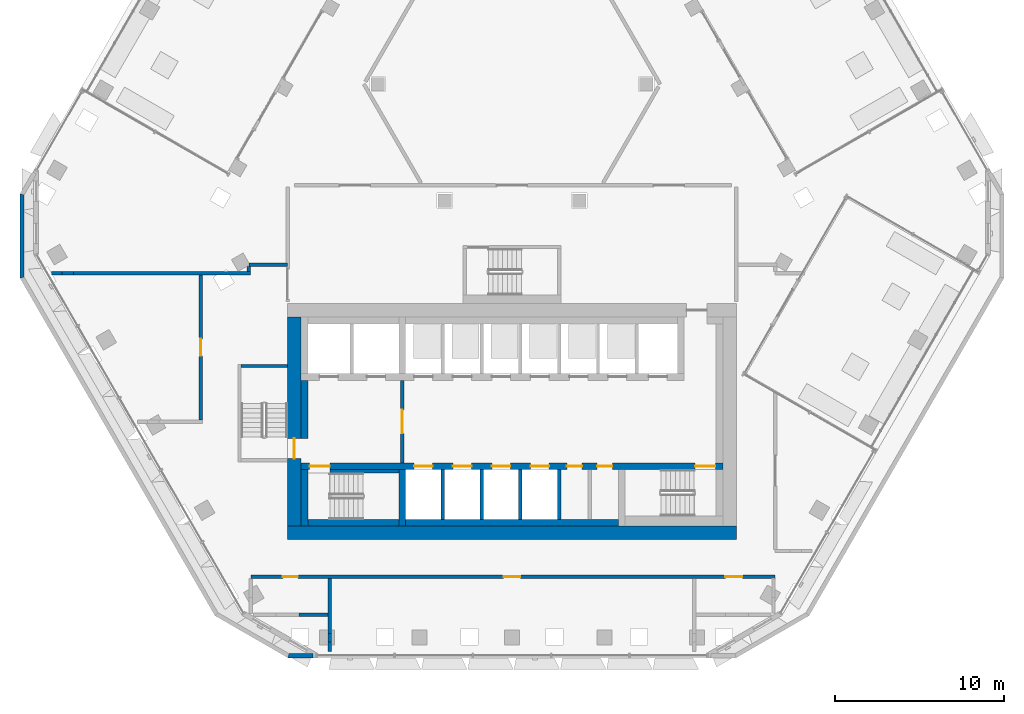
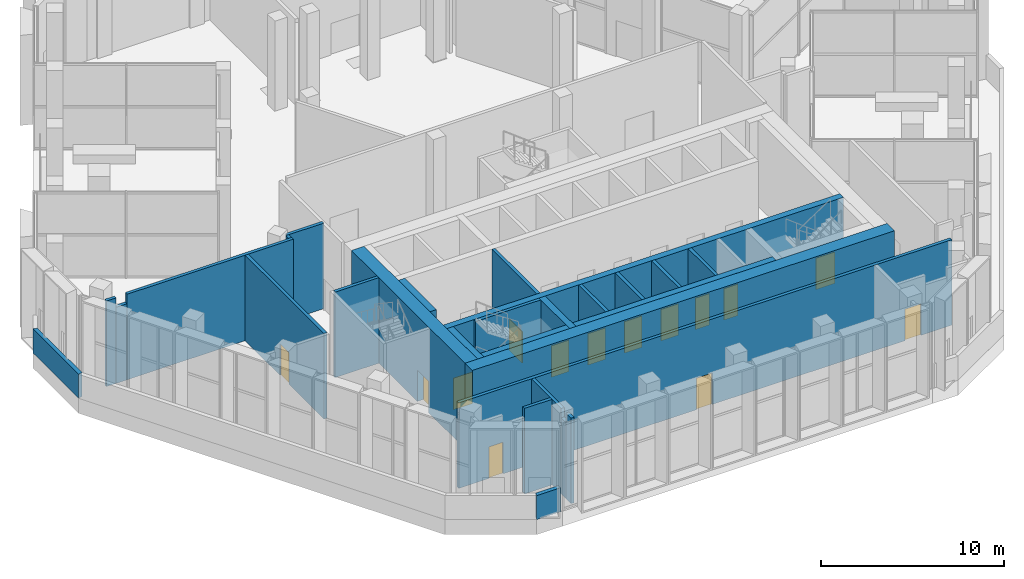
# One storey, part 11 of 27: 28 walls, 14 doors, 14 openings.
"""IFC4 building model written with IfcOpenShell, lengths in metres."""

import ifcopenshell
import ifcopenshell.guid

model = None  # the IFC model being written
_history = None  # IfcOwnerHistory: only IFC2X3 demands one
_inside = {}  # id of a spatial element -> (the spatial element, [elements in it])
_under = {}  # id of a project, library or spatial element -> (it, [spatial elements below it])
_declared = {}  # id of a project -> (the project, [libraries it declares])
_typed = {}  # id of a type object -> (the type object, [elements of that type])
_made_of = {}  # id of a material, layer set ... -> (it, [elements and type objects made of it])


def new_model(schema):
    """Start an empty IFC model of exactly this schema.

    Asked for "IFC4X3", IfcOpenShell would pick the latest addendum, in which some entities
    have other attributes; the version numbers below select the first issue.
    IFC2X3 requires an IfcOwnerHistory on every rooted entity: one is made here for all.
    """
    global model, _history
    if schema == "IFC4X3":
        model = ifcopenshell.file(schema_version=(4, 3, 0, 0))
    else:
        model = ifcopenshell.file(schema=schema)
    _inside.clear()
    _under.clear()
    _declared.clear()
    _typed.clear()
    _made_of.clear()
    _history = None
    if model.schema == "IFC2X3":
        org = make("IfcOrganization", Name="unknown")
        user = make(
            "IfcPersonAndOrganization",
            ThePerson=make("IfcPerson", FamilyName="unknown"),
            TheOrganization=org,
        )
        app = make(
            "IfcApplication",
            ApplicationDeveloper=org,
            Version="unknown",
            ApplicationFullName="unknown",
            ApplicationIdentifier="unknown",
        )
        _history = make(
            "IfcOwnerHistory",
            OwningUser=user,
            OwningApplication=app,
            ChangeAction="ADDED",
            CreationDate=0,
        )
    return model


def make(cls, **values):
    """One entity of the class cls with the attributes given. An attribute that is None is left unset."""
    return model.create_entity(
        cls, **{name: value for name, value in values.items() if value is not None}
    )


def rooted(cls, **values):
    """An entity with a GlobalId (a new one), such as an element, a storey or a relation."""
    return make(cls, GlobalId=ifcopenshell.guid.new(), OwnerHistory=_history, **values)


def si_unit(unit_type, name, prefix=None):
    """IfcSIUnit, for example si_unit("LENGTHUNIT", "METRE", prefix="MILLI")."""
    return make("IfcSIUnit", UnitType=unit_type, Prefix=prefix, Name=name)


def assignment(units):
    """IfcUnitAssignment: the units of a project."""
    return None if units is None else make("IfcUnitAssignment", Units=units)


def point(xyz):
    """IfcCartesianPoint."""
    return None if xyz is None else make("IfcCartesianPoint", Coordinates=xyz)


def direction(xyz):
    """IfcDirection."""
    return None if xyz is None else make("IfcDirection", DirectionRatios=xyz)


def frame(location, z_axis=None, x_axis=None):
    """IfcAxis2Placement3D, a coordinate frame: its origin and axes. An axis left out is left unset."""
    return make(
        "IfcAxis2Placement3D",
        Location=point(location),
        Axis=direction(z_axis),
        RefDirection=direction(x_axis),
    )


def frame_2d(location, x_axis=None):
    """IfcAxis2Placement2D, a coordinate frame in the plane: its origin and x axis."""
    return make(
        "IfcAxis2Placement2D", Location=point(location), RefDirection=direction(x_axis)
    )


def origin():
    """The frame at (0, 0, 0) with its axes left unset."""
    return frame((0.0, 0.0, 0.0))


def place(relative_to, where):
    """IfcLocalPlacement: puts the frame where relative to a parent placement (None: the world)."""
    return make(
        "IfcLocalPlacement", PlacementRelTo=relative_to, RelativePlacement=where
    )


def context(
    kind, dimensions, precision=None, world=None, true_north=None, identifier=None
):
    """IfcGeometricRepresentationContext, for example the 3D "Model" context."""
    return make(
        "IfcGeometricRepresentationContext",
        ContextIdentifier=identifier,
        ContextType=kind,
        CoordinateSpaceDimension=dimensions,
        Precision=precision,
        WorldCoordinateSystem=world,
        TrueNorth=true_north,
    )


def subcontext(parent, identifier, kind, view, scale=None):
    """IfcGeometricRepresentationSubContext, for example "Body" below "Model"."""
    return make(
        "IfcGeometricRepresentationSubContext",
        ContextIdentifier=identifier,
        ContextType=kind,
        ParentContext=parent,
        TargetScale=scale,
        TargetView=view,
    )


def project(units=None, contexts=None):
    """IfcProject with its units and contexts."""
    return rooted(
        "IfcProject",
        Name="project",
        RepresentationContexts=contexts,
        UnitsInContext=assignment(units),
    )


def spatial(cls, under=None, at=None, **own):
    """A site, building, storey or space (cls), placed at a placement, below another one or the project."""
    s = rooted(cls, ObjectPlacement=at, **own)
    if under is not None:
        _under.setdefault(under.id(), (under, []))[1].append(s)
    return s


def polyline(points):
    """IfcPolyline through the points."""
    return make("IfcPolyline", Points=[point(p) for p in points])


def profile(cls, at=None, kind="AREA", **sizes):
    """A parametric profile (cls). Its sizes go by their IFC names, for example OverallWidth=200.0."""
    return make(cls, ProfileType=kind, Position=at, **sizes)


def rectangle(**sizes):
    """IfcRectangleProfileDef."""
    return profile("IfcRectangleProfileDef", **sizes)


def outline(outer, holes=None, kind="AREA"):
    """IfcArbitraryClosedProfileDef: a profile drawn as a closed curve; with holes, ...WithVoids."""
    if holes is None:
        return make("IfcArbitraryClosedProfileDef", ProfileType=kind, OuterCurve=outer)
    return make(
        "IfcArbitraryProfileDefWithVoids",
        ProfileType=kind,
        OuterCurve=outer,
        InnerCurves=holes,
    )


def extrude(swept, where, along, depth):
    """IfcExtrudedAreaSolid: the profile swept, set in the frame where, extruded along a direction by depth."""
    return make(
        "IfcExtrudedAreaSolid",
        SweptArea=swept,
        Position=where,
        ExtrudedDirection=direction(along),
        Depth=depth,
    )


def shape(context_of_items, identifier, shape_type, items):
    """IfcShapeRepresentation: the items that make up one representation, for example the "Body"."""
    return make(
        "IfcShapeRepresentation",
        ContextOfItems=context_of_items,
        RepresentationIdentifier=identifier,
        RepresentationType=shape_type,
        Items=items,
    )


def material(Name=None, Category=None):
    """IfcMaterial."""
    return make("IfcMaterial", Name=Name, Category=Category)


def layer(
    of_material, thickness, ventilated=None, Name=None, Category=None, Priority=None
):
    """IfcMaterialLayer: one layer of a wall or slab, of a material (None: an air gap)."""
    return make(
        "IfcMaterialLayer",
        Material=of_material,
        LayerThickness=thickness,
        IsVentilated=ventilated,
        Name=Name,
        Category=Category,
        Priority=Priority,
    )


def layer_set(layers, Name=None):
    """IfcMaterialLayerSet."""
    return make("IfcMaterialLayerSet", MaterialLayers=layers, LayerSetName=Name)


def made_of(thing, what):
    """Note that an element or type object is made of a material, layer set ...; save() writes the relation."""
    if what is not None:
        _made_of.setdefault(what.id(), (what, []))[1].append(thing)
    return thing


def type_object(cls, material=None, **own):
    """A type object (cls), such as IfcWallType, which elements share."""
    return made_of(rooted(cls, **own), material)


def element(
    cls,
    number,
    at=None,
    inside=None,
    cuts=None,
    type_object=None,
    material=None,
    context=None,
    identifier="Body",
    shape_type=None,
    held_by="IfcProductDefinitionShape",
    body=None,
    shapes=None,
    **own,
):
    """One element of the class cls, such as IfcWall. Its Tag is "e" and its number.

    at: its placement. inside: the storey or other place that contains it. cuts: it is an
    opening in that element (IfcRelVoidsElement). A single representation is given by context,
    identifier, shape_type and body (its items); several are given by shapes. held_by: the class
    of the entity that holds the representations. save() writes the other relations.
    """
    e = rooted(cls, Tag="e%d" % number, ObjectPlacement=at, **own)
    if body is not None:
        shapes = [shape(context, identifier, shape_type, body)]
    if shapes is not None:
        e.Representation = make(held_by, Representations=shapes)
    if inside is not None:
        _inside.setdefault(inside.id(), (inside, []))[1].append(e)
    if cuts is not None:
        rooted(
            "IfcRelVoidsElement", RelatingBuildingElement=cuts, RelatedOpeningElement=e
        )
    if type_object is not None:
        _typed.setdefault(type_object.id(), (type_object, []))[1].append(e)
    return made_of(e, material)


def fill(opening, filler):
    """IfcRelFillsElement: the door or window that sits in an opening."""
    return rooted(
        "IfcRelFillsElement",
        RelatingOpeningElement=opening,
        RelatedBuildingElement=filler,
    )


def aggregate(whole, parts):
    """IfcRelAggregates: a whole, such as a stair, and the parts it consists of."""
    return rooted("IfcRelAggregates", RelatingObject=whole, RelatedObjects=parts)


def save(model, path):
    """Write the relations noted so far, then the file.

    IfcRelAggregates (storeys below a building ...), IfcRelContainedInSpatialStructure (elements
    in a storey), IfcRelDefinesByType, IfcRelAssociatesMaterial and IfcRelDeclares: one each for
    every whole, place, type object, material and project.
    """
    for whole, parts in _under.values():
        aggregate(whole, parts)
    for where, things in _inside.values():
        rooted(
            "IfcRelContainedInSpatialStructure",
            RelatedElements=things,
            RelatingStructure=where,
        )
    for kind, things in _typed.values():
        rooted("IfcRelDefinesByType", RelatedObjects=things, RelatingType=kind)
    for what, things in _made_of.values():
        rooted("IfcRelAssociatesMaterial", RelatedObjects=things, RelatingMaterial=what)
    for by, libraries in _declared.values():
        rooted("IfcRelDeclares", RelatingContext=by, RelatedDefinitions=libraries)
    model.write(path)


model = new_model("IFC4")

# Units and contexts
model_context = context("Model", 3, precision=1e-05, world=origin(), true_north=direction((0.0, 1.0)))
body_context = subcontext(model_context, "Body", "Model", "MODEL_VIEW")
ifc_project = project(units=[si_unit("LENGTHUNIT", "METRE"), si_unit("AREAUNIT", "SQUARE_METRE"), si_unit("VOLUMEUNIT", "CUBIC_METRE"), si_unit("PLANEANGLEUNIT", "RADIAN"), si_unit("MASSUNIT", "GRAM", prefix="KILO")], contexts=[model_context])

# Site, building, storey
site_placement = place(None, origin())
site = spatial("IfcSite", under=ifc_project, at=site_placement, CompositionType="ELEMENT")
building_placement = place(site_placement, origin())
building = spatial("IfcBuilding", under=site, at=building_placement, Name="Beryl Residences", CompositionType="ELEMENT")
storey_placement = place(building_placement, frame((0.0, 0.0, 111.60009765625)))
storey = spatial("IfcBuildingStorey", under=building, at=storey_placement, Name="L34", CompositionType="ELEMENT", Elevation=111.60009765625)

# Walls
ifc_material_1 = material(Name="Precast concrete C40/50", Category="concrete")
ifc_layer_1 = layer(ifc_material_1, 0.25)
ifc_layer_set_1 = layer_set([ifc_layer_1], Name="PA1 roof parapet 250 mm")
wall_type_1 = type_object("IfcWallType", Name="PA1 roof parapet 250 mm", PredefinedType="PARAPET", material=ifc_layer_set_1)
wall_1_placement = place(storey_placement, frame((-11.780029296875, -25.875, 0.0), z_axis=(0.0, 0.0, 1.0), x_axis=(-1.0, 0.0, 0.0)))
element("IfcWall", 1, at=wall_1_placement, inside=storey, type_object=wall_type_1, Name="PA1 parapet L34 strip 1", PredefinedType="PARAPET", context=body_context, shape_type="SweptSolid", body=[
    extrude(outline(polyline([(0.0, -0.125), (1.43310546875, -0.125), (1.5, 0.125), (0.0, 0.125), (0.0, -0.125)])), origin(), (0.0, 0.0, 1.0), 1.599853515625),
])
wall_2_placement = place(storey_placement, frame((-29.031982421875, -3.5, 0.0), z_axis=(0.0, 0.0, 1.0), x_axis=(0.0, 1.0, 0.0)))
element("IfcWall", 2, at=wall_2_placement, inside=storey, type_object=wall_type_1, Name="PA1 parapet L34 strip 4", PredefinedType="PARAPET", context=body_context, shape_type="SweptSolid", body=[
    extrude(outline(polyline([(0.06689453125, -0.125), (4.93408203125, -0.125), (5.0009765625, 0.125), (0.0, 0.125), (0.06689453125, -0.125)])), origin(), (0.0, 0.0, 1.0), 1.599853515625),
])
ifc_material_2 = material(Name="Cement board with tiles")
ifc_layer_2 = layer(ifc_material_2, 0.199951171875)
ifc_layer_set_2 = layer_set([ifc_layer_2], Name="PT11-200 wet area wall 200 mm")
wall_type_2 = type_object("IfcWallType", Name="PT11-200 wet area wall 200 mm", PredefinedType="PARTITIONING", material=ifc_layer_set_2)
wall_3_placement = place(storey_placement, frame((-12.634033203125, -23.449951171875, 0.0), z_axis=(0.0, 0.0, 1.0), x_axis=(1.0, 0.0, 0.0)))
element("IfcWall", 3, at=wall_3_placement, inside=storey, type_object=wall_type_2, Name="Wall PT11-200 L34 003", PredefinedType="PARTITIONING", context=body_context, shape_type="SweptSolid", body=[
    extrude(rectangle(XDim=1.734130859375, YDim=0.199951171875, at=frame_2d((0.8671875, 0.0))), origin(), (0.0, 0.0, 1.0), 5.699951171875),
])

# Wall, opening, door
ifc_material_3 = material(Name="Concrete masonry", Category="masonry")
ifc_layer_3 = layer(ifc_material_3, 0.199951171875)
ifc_layer_set_3 = layer_set([ifc_layer_3], Name="PT13 lobby wall 200 mm")
wall_type_3 = type_object("IfcWallType", Name="PT13 lobby wall 200 mm", PredefinedType="PARTITIONING", material=ifc_layer_set_3)
wall_4_placement = place(storey_placement, frame((-6.5, -14.449951171875, 0.0), z_axis=(0.0, 0.0, 1.0), x_axis=(0.0, 1.0, 0.0)))
wall_4 = element("IfcWall", 4, at=wall_4_placement, inside=storey, type_object=wall_type_3, Name="Lobby wall 11", PredefinedType="PARTITIONING", context=body_context, shape_type="SweptSolid", body=[
    extrude(rectangle(XDim=4.89990234375, YDim=0.199951171875, at=frame_2d((2.449951171875, 0.0))), origin(), (0.0, 0.0, 1.0), 5.699951171875),
])
opening_1_placement = place(wall_4_placement, frame((3.14990234375, 0.0, 0.0), z_axis=(0.0, 0.0, 1.0), x_axis=(-1.0, 0.0, 0.0)))
opening_1 = element("IfcOpeningElement", 5, at=opening_1_placement, cuts=wall_4, Name="Opening FD-FFL", PredefinedType="OPENING", context=body_context, shape_type="SweptSolid", body=[
    extrude(rectangle(XDim=1.39990234375, YDim=2.10009765625, at=frame_2d((0.699951171875, 1.050048828125))), frame((0.0, 0.10986328125, 0.0), z_axis=(0.0, -1.0, 0.0), x_axis=(1.0, 0.0, 0.0)), (0.0, 0.0, 1.0), 0.219970703125),
])
ifc_material_4 = material(Name="Steel door leaf in steel frame", Category="steel")
door_type_1 = type_object("IfcDoorType", Name="D5 lobby door 1400 x 2100 mm", OperationType="DOUBLE_DOOR_SINGLE_SWING", PredefinedType="DOOR", material=ifc_material_4)
door_1_placement = place(opening_1_placement, origin())
door_1 = element("IfcDoor", 6, at=door_1_placement, inside=storey, type_object=door_type_1, Name="Door FD-FFL L34 001", OperationType="DOUBLE_DOOR_SINGLE_SWING", OverallHeight=2.10009765625, OverallWidth=1.39990234375, PredefinedType="DOOR", context=body_context, shape_type="SweptSolid", body=[
    extrude(rectangle(XDim=1.39990234375, YDim=2.10009765625, at=frame_2d((0.699951171875, 1.050048828125))), frame((0.0, 0.02490234375, 0.0), z_axis=(0.0, -1.0, 0.0), x_axis=(1.0, 0.0, 0.0)), (0.0, 0.0, 1.0), 0.050048828125),
])
fill(opening_1, door_1)

# Wall
ifc_material_5 = material(Name="Concrete masonry", Category="masonry")
ifc_layer_4 = layer(ifc_material_5, 0.39990234375)
ifc_layer_set_4 = layer_set([ifc_layer_4], Name="PT13-400 lobby wall 400 mm")
wall_type_4 = type_object("IfcWallType", Name="PT13-400 lobby wall 400 mm", PredefinedType="PARTITIONING", material=ifc_layer_set_4)
wall_5_placement = place(storey_placement, frame((-12.300048828125, -13.0, 0.0), z_axis=(0.0, 0.0, 1.0), x_axis=(0.0, 1.0, 0.0)))
element("IfcWall", 7, at=wall_5_placement, inside=storey, type_object=wall_type_4, Name="Lobby wall 05", PredefinedType="PARTITIONING", context=body_context, shape_type="SweptSolid", body=[
    extrude(rectangle(XDim=3.449951171875, YDim=0.39990234375, at=frame_2d((1.72509765625, 0.0))), origin(), (0.0, 0.0, 1.0), 5.699951171875),
])

# Wall, openings, doors
ifc_material_6 = material(Name="Double stud gypsum board wall")
ifc_layer_5 = layer(ifc_material_6, 0.199951171875)
ifc_layer_set_5 = layer_set([ifc_layer_5], Name="PT4 corridor wall 200 mm double stud")
wall_type_5 = type_object("IfcWallType", Name="PT4 corridor wall 200 mm double stud", PredefinedType="PARTITIONING", material=ifc_layer_set_5)
wall_6_placement = place(storey_placement, frame((-15.472900390625, -21.199951171875, 0.0), z_axis=(0.0, 0.0, 1.0), x_axis=(1.0, 0.0, 0.0)))
wall_6 = element("IfcWall", 8, at=wall_6_placement, inside=storey, type_object=wall_type_5, Name="Wall PT4 L34 001", PredefinedType="PARTITIONING", context=body_context, shape_type="SweptSolid", body=[
    extrude(rectangle(XDim=31.072998046875, YDim=0.199951171875, at=frame_2d((15.53662109375, 0.0))), origin(), (0.0, 0.0, 1.0), 5.699951171875),
])
opening_2_placement = place(wall_6_placement, frame((2.787841796875, 0.0, 0.0), z_axis=(0.0, 0.0, 1.0), x_axis=(-1.0, 0.0, 0.0)))
opening_2 = element("IfcOpeningElement", 9, at=opening_2_placement, cuts=wall_6, Name="Opening L34-04", PredefinedType="OPENING", context=body_context, shape_type="SweptSolid", body=[
    extrude(rectangle(XDim=0.89990234375, YDim=2.10009765625, at=frame_2d((0.449951171875, 1.050048828125))), frame((0.0, 0.10986328125, 0.0), z_axis=(0.0, -1.0, 0.0), x_axis=(1.0, 0.0, 0.0)), (0.0, 0.0, 1.0), 0.219970703125),
])
opening_3_placement = place(wall_6_placement, frame((15.972900390625, 0.0, 0.0), z_axis=(0.0, 0.0, 1.0), x_axis=(-1.0, 0.0, 0.0)))
opening_3 = element("IfcOpeningElement", 10, at=opening_3_placement, cuts=wall_6, Name="Opening L34-05", PredefinedType="OPENING", context=body_context, shape_type="SweptSolid", body=[
    extrude(rectangle(XDim=1.0, YDim=2.10009765625, at=frame_2d((0.5, 1.050048828125))), frame((0.0, 0.10986328125, 0.0), z_axis=(0.0, -1.0, 0.0), x_axis=(1.0, 0.0, 0.0)), (0.0, 0.0, 1.0), 0.219970703125),
])
opening_4_placement = place(wall_6_placement, frame((29.12109375, 0.0, 0.0), z_axis=(0.0, 0.0, 1.0), x_axis=(-1.0, 0.0, 0.0)))
opening_4 = element("IfcOpeningElement", 11, at=opening_4_placement, cuts=wall_6, Name="Opening L34-06", PredefinedType="OPENING", context=body_context, shape_type="SweptSolid", body=[
    extrude(rectangle(XDim=1.0, YDim=2.10009765625, at=frame_2d((0.5, 1.050048828125))), frame((0.0, 0.10986328125, 0.0), z_axis=(0.0, -1.0, 0.0), x_axis=(1.0, 0.0, 0.0)), (0.0, 0.0, 1.0), 0.219970703125),
])
ifc_material_7 = material(Name="Timber door leaf", Category="wood")
door_type_2 = type_object("IfcDoorType", Name="D19 room door 1000 x 2100 mm", OperationType="SINGLE_SWING_LEFT", PredefinedType="DOOR", material=ifc_material_7)
door_2_placement = place(opening_4_placement, origin())
door_2 = element("IfcDoor", 12, at=door_2_placement, inside=storey, type_object=door_type_2, Name="Door L34-06 L34 001", OperationType="SINGLE_SWING_LEFT", OverallHeight=2.10009765625, OverallWidth=1.0, PredefinedType="DOOR", context=body_context, shape_type="SweptSolid", body=[
    extrude(rectangle(XDim=1.0, YDim=2.10009765625, at=frame_2d((0.5, 1.050048828125))), frame((0.0, 0.02490234375, 0.0), z_axis=(0.0, -1.0, 0.0), x_axis=(1.0, 0.0, 0.0)), (0.0, 0.0, 1.0), 0.050048828125),
])
fill(opening_4, door_2)
ifc_material_8 = material(Name="Timber door leaf", Category="wood")
door_type_3 = type_object("IfcDoorType", Name="D2 room door 900 x 2100 mm", OperationType="SINGLE_SWING_LEFT", PredefinedType="DOOR", material=ifc_material_8)
door_3_placement = place(opening_2_placement, origin())
door_3 = element("IfcDoor", 13, at=door_3_placement, inside=storey, type_object=door_type_3, Name="Door L34-04 L34 001", OperationType="SINGLE_SWING_LEFT", OverallHeight=2.10009765625, OverallWidth=0.89990234375, PredefinedType="DOOR", context=body_context, shape_type="SweptSolid", body=[
    extrude(rectangle(XDim=0.89990234375, YDim=2.10009765625, at=frame_2d((0.449951171875, 1.050048828125))), frame((0.0, 0.02490234375, 0.0), z_axis=(0.0, -1.0, 0.0), x_axis=(1.0, 0.0, 0.0)), (0.0, 0.0, 1.0), 0.050048828125),
])
fill(opening_2, door_3)
ifc_material_9 = material(Name="Timber door leaf", Category="wood")
door_type_4 = type_object("IfcDoorType", Name="D9 corridor door 1000 x 2100 mm", OperationType="SINGLE_SWING_LEFT", PredefinedType="DOOR", material=ifc_material_9)
door_4_placement = place(opening_3_placement, origin())
door_4 = element("IfcDoor", 14, at=door_4_placement, inside=storey, type_object=door_type_4, Name="Door L34-05 L34 001", OperationType="SINGLE_SWING_RIGHT", OverallHeight=2.10009765625, OverallWidth=1.0, PredefinedType="DOOR", context=body_context, shape_type="SweptSolid", body=[
    extrude(rectangle(XDim=1.0, YDim=2.10009765625, at=frame_2d((0.5, 1.050048828125))), frame((0.0, 0.02490234375, 0.0), z_axis=(0.0, -1.0, 0.0), x_axis=(1.0, 0.0, 0.0)), (0.0, 0.0, 1.0), 0.050048828125),
])
fill(opening_3, door_4)

# Walls
wall_7_placement = place(storey_placement, frame((-27.277099609375, -3.196044921875, 0.0), z_axis=(0.0, 0.0, 1.0), x_axis=(1.0, 0.0, 0.0)))
element("IfcWall", 15, at=wall_7_placement, inside=storey, type_object=wall_type_5, Name="Wall PT4 L34 008", PredefinedType="PARTITIONING", context=body_context, shape_type="SweptSolid", body=[
    extrude(rectangle(XDim=0.60107421875, YDim=0.199951171875, at=frame_2d((0.300537109375, 0.0))), origin(), (0.0, 0.0, 1.0), 5.699951171875),
])
wall_8_placement = place(storey_placement, frame((-26.676025390625, -3.196044921875, 0.0), z_axis=(0.0, 0.0, 1.0), x_axis=(1.0, 0.0, 0.0)))
element("IfcWall", 16, at=wall_8_placement, inside=storey, type_object=wall_type_5, Name="Wall PT4 L34 009", PredefinedType="PARTITIONING", context=body_context, shape_type="SweptSolid", body=[
    extrude(rectangle(XDim=0.693115234375, YDim=0.199951171875, at=frame_2d((0.3466796875, 0.0))), origin(), (0.0, 0.0, 1.0), 5.06982421875),
])
wall_9_placement = place(storey_placement, frame((-25.98291015625, -3.196044921875, 0.0), z_axis=(0.0, 0.0, 1.0), x_axis=(1.0, 0.0, 0.0)))
element("IfcWall", 17, at=wall_9_placement, inside=storey, type_object=wall_type_5, Name="Wall PT4 L34 010", PredefinedType="PARTITIONING", context=body_context, shape_type="SweptSolid", body=[
    extrude(rectangle(XDim=10.48291015625, YDim=0.199951171875, at=frame_2d((5.241455078125, 0.0))), origin(), (0.0, 0.0, 1.0), 5.699951171875),
])
wall_10_placement = place(storey_placement, frame((-15.60009765625, -2.699951171875, 0.0), z_axis=(0.0, 0.0, 1.0), x_axis=(1.0, 0.0, 0.0)))
element("IfcWall", 18, at=wall_10_placement, inside=storey, type_object=wall_type_5, Name="Wall PT4 L34 012", PredefinedType="PARTITIONING", context=body_context, shape_type="SweptSolid", body=[
    extrude(rectangle(XDim=2.300048828125, YDim=0.199951171875, at=frame_2d((1.14990234375, 0.0))), origin(), (0.0, 0.0, 1.0), 5.699951171875),
])

# Wall, opening, door
wall_11_placement = place(storey_placement, frame((-18.449951171875, -11.89990234375, 0.0), z_axis=(0.0, 0.0, 1.0), x_axis=(0.0, 1.0, 0.0)))
wall_11 = element("IfcWall", 19, at=wall_11_placement, inside=storey, type_object=wall_type_5, Name="Wall PT4 L34 026", PredefinedType="PARTITIONING", context=body_context, shape_type="SweptSolid", body=[
    extrude(rectangle(XDim=8.60400390625, YDim=0.199951171875, at=frame_2d((4.302001953125, 0.0))), origin(), (0.0, 0.0, 1.0), 5.699951171875),
])
opening_5_placement = place(wall_11_placement, frame((3.802001953125, 0.0, 0.0)))
opening_5 = element("IfcOpeningElement", 20, at=opening_5_placement, cuts=wall_11, Name="Opening L34-07", PredefinedType="OPENING", context=body_context, shape_type="SweptSolid", body=[
    extrude(rectangle(XDim=1.0, YDim=2.10009765625, at=frame_2d((0.5, 1.050048828125))), frame((0.0, 0.10986328125, 0.0), z_axis=(0.0, -1.0, 0.0), x_axis=(1.0, 0.0, 0.0)), (0.0, 0.0, 1.0), 0.219970703125),
])
door_5_placement = place(opening_5_placement, origin())
door_5 = element("IfcDoor", 21, at=door_5_placement, inside=storey, type_object=door_type_4, Name="Door L34-07 L34 001", OperationType="SINGLE_SWING_LEFT", OverallHeight=2.10009765625, OverallWidth=1.0, PredefinedType="DOOR", context=body_context, shape_type="SweptSolid", body=[
    extrude(rectangle(XDim=1.0, YDim=2.10009765625, at=frame_2d((0.5, 1.050048828125))), frame((0.0, 0.02490234375, 0.0), z_axis=(0.0, -1.0, 0.0), x_axis=(1.0, 0.0, 0.0)), (0.0, 0.0, 1.0), 0.050048828125),
])
fill(opening_5, door_5)

# Walls
wall_12_placement = place(storey_placement, frame((-15.60009765625, -3.095947265625, 0.0), z_axis=(0.0, 0.0, 1.0), x_axis=(0.0, 1.0, 0.0)))
element("IfcWall", 22, at=wall_12_placement, inside=storey, type_object=wall_type_5, Name="Wall PT4 L34 027", PredefinedType="PARTITIONING", context=body_context, shape_type="SweptSolid", body=[
    extrude(rectangle(XDim=0.2958984375, YDim=0.199951171875, at=frame_2d((0.14794921875, 0.0))), origin(), (0.0, 0.0, 1.0), 5.699951171875),
])
wall_13_placement = place(storey_placement, frame((-10.800048828125, -25.6201171875, 0.0), z_axis=(0.0, 0.0, 1.0), x_axis=(0.0, 1.0, 0.0)))
element("IfcWall", 23, at=wall_13_placement, inside=storey, type_object=wall_type_5, Name="Wall PT4 L34 029", PredefinedType="PARTITIONING", context=body_context, shape_type="SweptSolid", body=[
    extrude(rectangle(XDim=0.570068359375, YDim=0.199951171875, at=frame_2d((0.28515625, 0.0))), origin(), (0.0, 0.0, 1.0), 5.699951171875),
])
wall_14_placement = place(storey_placement, frame((-10.800048828125, -25.050048828125, 0.0), z_axis=(0.0, 0.0, 1.0), x_axis=(0.0, 1.0, 0.0)))
element("IfcWall", 24, at=wall_14_placement, inside=storey, type_object=wall_type_5, Name="Wall PT4 L34 030", PredefinedType="PARTITIONING", context=body_context, shape_type="SweptSolid", body=[
    extrude(rectangle(XDim=0.5, YDim=0.199951171875, at=frame_2d((0.25, 0.0))), origin(), (0.0, 0.0, 1.0), 5.06982421875),
])
wall_15_placement = place(storey_placement, frame((-10.800048828125, -24.550048828125, 0.0), z_axis=(0.0, 0.0, 1.0), x_axis=(0.0, 1.0, 0.0)))
element("IfcWall", 25, at=wall_15_placement, inside=storey, type_object=wall_type_5, Name="Wall PT4 L34 031", PredefinedType="PARTITIONING", context=body_context, shape_type="SweptSolid", body=[
    extrude(rectangle(XDim=3.25, YDim=0.199951171875, at=frame_2d((1.625, 0.0))), origin(), (0.0, 0.0, 1.0), 5.699951171875),
])
ifc_material_10 = material(Name="Concrete C40/50", Category="concrete")
ifc_layer_6 = layer(ifc_material_10, 0.199951171875)
ifc_layer_set_6 = layer_set([ifc_layer_6], Name="PT5 stair enclosure wall 200 mm reinforced concrete C40/50")
wall_type_6 = type_object("IfcWallType", Name="PT5 stair enclosure wall 200 mm reinforced concrete C40/50", PredefinedType="SOLIDWALL", material=ifc_layer_set_6)
wall_16_placement = place(storey_placement, frame((-16.050048828125, -8.699951171875, 0.0), z_axis=(0.0, 0.0, 1.0), x_axis=(1.0, 0.0, 0.0)))
element("IfcWall", 26, at=wall_16_placement, inside=storey, type_object=wall_type_6, Name="Stair wall 03", PredefinedType="SOLIDWALL", context=body_context, shape_type="SweptSolid", body=[
    extrude(rectangle(XDim=2.75, YDim=0.199951171875, at=frame_2d((1.375, 0.0))), origin(), (0.0, 0.0, 1.0), 5.699951171875),
])
wall_17_placement = place(storey_placement, frame((-10.800048828125, -14.949951171875, 0.0), z_axis=(0.0, 0.0, 1.0), x_axis=(1.0, 0.0, 0.0)))
element("IfcWall", 27, at=wall_17_placement, inside=storey, type_object=wall_type_6, Name="Stair wall 09", PredefinedType="SOLIDWALL", context=body_context, shape_type="SweptSolid", body=[
    extrude(rectangle(XDim=4.10009765625, YDim=0.199951171875, at=frame_2d((2.050048828125, 0.0))), origin(), (0.0, 0.0, 1.0), 5.699951171875),
])
ifc_material_11 = material(Name="Concrete C40/50", Category="concrete")
ifc_layer_7 = layer(ifc_material_11, 0.39990234375)
ifc_layer_set_7 = layer_set([ifc_layer_7], Name="PT5-400 stair enclosure wall 400 mm")
wall_type_7 = type_object("IfcWallType", Name="PT5-400 stair enclosure wall 400 mm", PredefinedType="SOLIDWALL", material=ifc_layer_set_7)
wall_18_placement = place(storey_placement, frame((-12.300048828125, -18.199951171875, 0.0), z_axis=(0.0, 0.0, 1.0), x_axis=(0.0, 1.0, 0.0)))
element("IfcWall", 28, at=wall_18_placement, inside=storey, type_object=wall_type_7, Name="Stair wall 04", PredefinedType="SOLIDWALL", context=body_context, shape_type="SweptSolid", body=[
    extrude(rectangle(XDim=3.349853515625, YDim=0.39990234375, at=frame_2d((1.6748046875, 0.0))), origin(), (0.0, 0.0, 1.0), 5.699951171875),
])
wall_19_placement = place(storey_placement, frame((-12.10009765625, -18.0, 0.0), z_axis=(0.0, 0.0, 1.0), x_axis=(1.0, 0.0, 0.0)))
element("IfcWall", 29, at=wall_19_placement, inside=storey, type_object=wall_type_7, Name="Stair wall 07", PredefinedType="SOLIDWALL", context=body_context, shape_type="SweptSolid", body=[
    extrude(rectangle(XDim=5.400146484375, YDim=0.39990234375, at=frame_2d((2.7001953125, 0.0))), origin(), (0.0, 0.0, 1.0), 5.699951171875),
])
ifc_material_12 = material(Name="Concrete C40/50", Category="concrete")
ifc_layer_8 = layer(ifc_material_12, 0.199951171875)
ifc_layer_set_8 = layer_set([ifc_layer_8], Name="PT6 lift shaft wall 200 mm reinforced concrete C40/50")
wall_type_8 = type_object("IfcWallType", Name="PT6 lift shaft wall 200 mm reinforced concrete C40/50", PredefinedType="SOLIDWALL", material=ifc_layer_set_8)
for number, where, z_axis, x_axis, name in (
    (30, (-4.10009765625, -17.800048828125, 0.0), (0.0, 0.0, 1.0), (0.0, 1.0, 0.0), "Lift shaft wall 14"),
    (31, (-1.800048828125, -17.800048828125, 0.0), (0.0, 0.0, 1.0), (0.0, 1.0, 0.0), "Lift shaft wall 16"),
    (32, (0.5, -17.800048828125, 0.0), (0.0, 0.0, 1.0), (0.0, 1.0, 0.0), "Lift shaft wall 18"),
    (33, (2.800048828125, -17.800048828125, 0.0), (0.0, 0.0, 1.0), (0.0, 1.0, 0.0), "Lift shaft wall 20"),
):
    element("IfcWall", number, at=place(storey_placement, frame(where, z_axis=z_axis, x_axis=x_axis)), inside=storey, type_object=wall_type_8, Name=name, PredefinedType="SOLIDWALL", context=body_context, shape_type="SweptSolid", body=[
        extrude(rectangle(XDim=2.949951171875, YDim=0.199951171875, at=frame_2d((1.47509765625, 0.0))), origin(), (0.0, 0.0, 1.0), 5.699951171875),
    ])
ifc_material_13 = material(Name="Concrete C40/50", Category="concrete")
ifc_layer_9 = layer(ifc_material_13, 0.39990234375)
ifc_layer_set_9 = layer_set([ifc_layer_9], Name="PT6-400 lift shaft wall 400 mm")
wall_type_9 = type_object("IfcWallType", Name="PT6-400 lift shaft wall 400 mm", PredefinedType="SOLIDWALL", material=ifc_layer_set_9)
wall_20_placement = place(storey_placement, frame((-6.300048828125, -18.0, 0.0), z_axis=(0.0, 0.0, 1.0), x_axis=(1.0, 0.0, 0.0)))
element("IfcWall", 34, at=wall_20_placement, inside=storey, type_object=wall_type_9, Name="Lift shaft wall 12", PredefinedType="SOLIDWALL", context=body_context, shape_type="SweptSolid", body=[
    extrude(rectangle(XDim=12.60009765625, YDim=0.39990234375, at=frame_2d((6.300048828125, 0.0))), origin(), (0.0, 0.0, 1.0), 5.699951171875),
])
ifc_material_14 = material(Name="Concrete C60/75", Category="concrete")
ifc_layer_10 = layer(ifc_material_14, 0.800048828125)
ifc_layer_set_10 = layer_set([ifc_layer_10], Name="SW3 core outer wall 800 mm C60/75")
wall_type_10 = type_object("IfcWallType", Name="SW3 core outer wall 800 mm C60/75", PredefinedType="SHEAR", material=ifc_layer_set_10)
wall_21_placement = place(storey_placement, frame((-13.300048828125, -18.60009765625, 0.0), z_axis=(0.0, 0.0, 1.0), x_axis=(1.0, 0.0, 0.0)))
element("IfcWall", 35, at=wall_21_placement, inside=storey, type_object=wall_type_10, Name="Core wall S L34", PredefinedType="SHEAR", context=body_context, shape_type="SweptSolid", body=[
    extrude(rectangle(XDim=26.60009765625, YDim=0.800048828125, at=frame_2d((13.300048828125, 0.0))), origin(), (0.0, 0.0, 1.0), 5.699951171875),
])

# Wall, opening, door
wall_22_placement = place(storey_placement, frame((-12.89990234375, -18.199951171875, 0.0), z_axis=(0.0, 0.0, 1.0), x_axis=(0.0, 1.0, 0.0)))
wall_22 = element("IfcWall", 36, at=wall_22_placement, inside=storey, type_object=wall_type_10, Name="Core wall W L34", PredefinedType="SHEAR", context=body_context, shape_type="SweptSolid", body=[
    extrude(rectangle(XDim=12.39990234375, YDim=0.800048828125, at=frame_2d((6.199951171875, 0.0))), origin(), (0.0, 0.0, 1.0), 5.699951171875),
])
opening_6_placement = place(wall_22_placement, frame((4.0, 0.0, 0.0)))
opening_6 = element("IfcOpeningElement", 37, at=opening_6_placement, cuts=wall_22, Name="Opening SD-2", PredefinedType="OPENING", context=body_context, shape_type="SweptSolid", body=[
    extrude(rectangle(XDim=1.199951171875, YDim=2.10009765625, at=frame_2d((0.60009765625, 1.050048828125))), frame((0.0, 0.409912109375, 0.0), z_axis=(0.0, -1.0, 0.0), x_axis=(1.0, 0.0, 0.0)), (0.0, 0.0, 1.0), 0.820068359375),
])
ifc_material_15 = material(Name="Steel door leaf in steel frame", Category="steel")
door_type_5 = type_object("IfcDoorType", Name="D4 stair door 1200 x 2100 mm", OperationType="SINGLE_SWING_LEFT", PredefinedType="DOOR", material=ifc_material_15)
door_6_placement = place(opening_6_placement, origin())
door_6 = element("IfcDoor", 38, at=door_6_placement, inside=storey, type_object=door_type_5, Name="Door SD-2 L34 001", OperationType="SINGLE_SWING_RIGHT", OverallHeight=2.10009765625, OverallWidth=1.199951171875, PredefinedType="DOOR", context=body_context, shape_type="SweptSolid", body=[
    extrude(rectangle(XDim=1.199951171875, YDim=2.10009765625, at=frame_2d((0.60009765625, 1.050048828125))), frame((0.0, 0.02490234375, 0.0), z_axis=(0.0, -1.0, 0.0), x_axis=(1.0, 0.0, 0.0)), (0.0, 0.0, 1.0), 0.050048828125),
])
fill(opening_6, door_6)

# Wall, openings, doors
ifc_material_16 = material(Name="Concrete C60/75", Category="concrete")
ifc_layer_11 = layer(ifc_material_16, 0.39990234375)
ifc_layer_set_11 = layer_set([ifc_layer_11], Name="SW8 core internal wall 400 mm C60/75")
wall_type_11 = type_object("IfcWallType", Name="SW8 core internal wall 400 mm C60/75", PredefinedType="SHEAR", material=ifc_layer_set_11)
wall_23_placement = place(storey_placement, frame((-12.5, -14.64990234375, 0.0), z_axis=(0.0, 0.0, 1.0), x_axis=(1.0, 0.0, 0.0)))
wall_23 = element("IfcWall", 39, at=wall_23_placement, inside=storey, type_object=wall_type_11, Name="Core wall SP1 L34", PredefinedType="SHEAR", context=body_context, shape_type="SweptSolid", body=[
    extrude(rectangle(XDim=25.0, YDim=0.39990234375, at=frame_2d((12.5, 0.0))), origin(), (0.0, 0.0, 1.0), 5.699951171875),
])
opening_7_placement = place(wall_23_placement, frame((6.699951171875, 0.0, 0.0)))
opening_7 = element("IfcOpeningElement", 40, at=opening_7_placement, cuts=wall_23, Name="Opening LD-SH1", PredefinedType="OPENING", context=body_context, shape_type="SweptSolid", body=[
    extrude(rectangle(XDim=1.10009765625, YDim=2.10009765625, at=frame_2d((0.550048828125, 1.050048828125))), frame((0.0, 0.2099609375, 0.0), z_axis=(0.0, -1.0, 0.0), x_axis=(1.0, 0.0, 0.0)), (0.0, 0.0, 1.0), 0.419921875),
])
opening_8_placement = place(wall_23_placement, frame((9.0, 0.0, 0.0)))
opening_8 = element("IfcOpeningElement", 41, at=opening_8_placement, cuts=wall_23, Name="Opening LD-SH2", PredefinedType="OPENING", context=body_context, shape_type="SweptSolid", body=[
    extrude(rectangle(XDim=1.10009765625, YDim=2.10009765625, at=frame_2d((0.550048828125, 1.050048828125))), frame((0.0, 0.2099609375, 0.0), z_axis=(0.0, -1.0, 0.0), x_axis=(1.0, 0.0, 0.0)), (0.0, 0.0, 1.0), 0.419921875),
])
opening_9_placement = place(wall_23_placement, frame((11.300048828125, 0.0, 0.0)))
opening_9 = element("IfcOpeningElement", 42, at=opening_9_placement, cuts=wall_23, Name="Opening LD-SH3", PredefinedType="OPENING", context=body_context, shape_type="SweptSolid", body=[
    extrude(rectangle(XDim=1.10009765625, YDim=2.10009765625, at=frame_2d((0.550048828125, 1.050048828125))), frame((0.0, 0.2099609375, 0.0), z_axis=(0.0, -1.0, 0.0), x_axis=(1.0, 0.0, 0.0)), (0.0, 0.0, 1.0), 0.419921875),
])
opening_10_placement = place(wall_23_placement, frame((13.60009765625, 0.0, 0.0)))
opening_10 = element("IfcOpeningElement", 43, at=opening_10_placement, cuts=wall_23, Name="Opening LD-SH4", PredefinedType="OPENING", context=body_context, shape_type="SweptSolid", body=[
    extrude(rectangle(XDim=1.10009765625, YDim=2.10009765625, at=frame_2d((0.550048828125, 1.050048828125))), frame((0.0, 0.2099609375, 0.0), z_axis=(0.0, -1.0, 0.0), x_axis=(1.0, 0.0, 0.0)), (0.0, 0.0, 1.0), 0.419921875),
])
opening_11_placement = place(wall_23_placement, frame((1.699951171875, 0.0, 0.0), z_axis=(0.0, 0.0, 1.0), x_axis=(-1.0, 0.0, 0.0)))
opening_11 = element("IfcOpeningElement", 44, at=opening_11_placement, cuts=wall_23, Name="Opening SD-1", PredefinedType="OPENING", context=body_context, shape_type="SweptSolid", body=[
    extrude(rectangle(XDim=1.199951171875, YDim=2.10009765625, at=frame_2d((0.60009765625, 1.050048828125))), frame((0.0, 0.2099609375, 0.0), z_axis=(0.0, -1.0, 0.0), x_axis=(1.0, 0.0, 0.0)), (0.0, 0.0, 1.0), 0.419921875),
])
opening_12_placement = place(wall_23_placement, frame((24.550048828125, 0.0, 0.0), z_axis=(0.0, 0.0, 1.0), x_axis=(-1.0, 0.0, 0.0)))
opening_12 = element("IfcOpeningElement", 45, at=opening_12_placement, cuts=wall_23, Name="Opening SD-3", PredefinedType="OPENING", context=body_context, shape_type="SweptSolid", body=[
    extrude(rectangle(XDim=1.199951171875, YDim=2.10009765625, at=frame_2d((0.60009765625, 1.050048828125))), frame((0.0, 0.2099609375, 0.0), z_axis=(0.0, -1.0, 0.0), x_axis=(1.0, 0.0, 0.0)), (0.0, 0.0, 1.0), 0.419921875),
])
opening_13_placement = place(wall_23_placement, frame((16.64990234375, 0.0, 0.0), z_axis=(0.0, 0.0, 1.0), x_axis=(-1.0, 0.0, 0.0)))
opening_13 = element("IfcOpeningElement", 46, at=opening_13_placement, cuts=wall_23, Name="Opening CD-D-S1-900", PredefinedType="OPENING", context=body_context, shape_type="SweptSolid", body=[
    extrude(rectangle(XDim=0.89990234375, YDim=2.10009765625, at=frame_2d((0.449951171875, 1.050048828125))), frame((0.0, 0.2099609375, 0.0), z_axis=(0.0, -1.0, 0.0), x_axis=(1.0, 0.0, 0.0)), (0.0, 0.0, 1.0), 0.419921875),
])
opening_14_placement = place(wall_23_placement, frame((18.449951171875, 0.0, 0.0), z_axis=(0.0, 0.0, 1.0), x_axis=(-1.0, 0.0, 0.0)))
opening_14 = element("IfcOpeningElement", 47, at=opening_14_placement, cuts=wall_23, Name="Opening CD-D-S2-900", PredefinedType="OPENING", context=body_context, shape_type="SweptSolid", body=[
    extrude(rectangle(XDim=0.89990234375, YDim=2.10009765625, at=frame_2d((0.449951171875, 1.050048828125))), frame((0.0, 0.2099609375, 0.0), z_axis=(0.0, -1.0, 0.0), x_axis=(1.0, 0.0, 0.0)), (0.0, 0.0, 1.0), 0.419921875),
])
door_7_placement = place(opening_11_placement, origin())
door_7 = element("IfcDoor", 48, at=door_7_placement, inside=storey, type_object=door_type_5, Name="Door SD-1 L34 001", OperationType="SINGLE_SWING_RIGHT", OverallHeight=2.10009765625, OverallWidth=1.199951171875, PredefinedType="DOOR", context=body_context, shape_type="SweptSolid", body=[
    extrude(rectangle(XDim=1.199951171875, YDim=2.10009765625, at=frame_2d((0.60009765625, 1.050048828125))), frame((0.0, 0.02490234375, 0.0), z_axis=(0.0, -1.0, 0.0), x_axis=(1.0, 0.0, 0.0)), (0.0, 0.0, 1.0), 0.050048828125),
])
fill(opening_11, door_7)
door_8_placement = place(opening_12_placement, origin())
door_8 = element("IfcDoor", 49, at=door_8_placement, inside=storey, type_object=door_type_5, Name="Door SD-3 L34 001", OperationType="SINGLE_SWING_RIGHT", OverallHeight=2.10009765625, OverallWidth=1.199951171875, PredefinedType="DOOR", context=body_context, shape_type="SweptSolid", body=[
    extrude(rectangle(XDim=1.199951171875, YDim=2.10009765625, at=frame_2d((0.60009765625, 1.050048828125))), frame((0.0, 0.02490234375, 0.0), z_axis=(0.0, -1.0, 0.0), x_axis=(1.0, 0.0, 0.0)), (0.0, 0.0, 1.0), 0.050048828125),
])
fill(opening_12, door_8)
ifc_material_17 = material(Name="Steel door leaf in steel frame", Category="steel")
door_type_6 = type_object("IfcDoorType", Name="D6 service room door 900 x 2100 mm", OperationType="SINGLE_SWING_LEFT", PredefinedType="DOOR", material=ifc_material_17)
door_9_placement = place(opening_13_placement, origin())
door_9 = element("IfcDoor", 50, at=door_9_placement, inside=storey, type_object=door_type_6, Name="Door CD-D-S1-900 L34 001", OperationType="SINGLE_SWING_RIGHT", OverallHeight=2.10009765625, OverallWidth=0.89990234375, PredefinedType="DOOR", context=body_context, shape_type="SweptSolid", body=[
    extrude(rectangle(XDim=0.89990234375, YDim=2.10009765625, at=frame_2d((0.449951171875, 1.050048828125))), frame((0.0, 0.02490234375, 0.0), z_axis=(0.0, -1.0, 0.0), x_axis=(1.0, 0.0, 0.0)), (0.0, 0.0, 1.0), 0.050048828125),
])
fill(opening_13, door_9)
door_10_placement = place(opening_14_placement, origin())
door_10 = element("IfcDoor", 51, at=door_10_placement, inside=storey, type_object=door_type_6, Name="Door CD-D-S2-900 L34 001", OperationType="SINGLE_SWING_LEFT", OverallHeight=2.10009765625, OverallWidth=0.89990234375, PredefinedType="DOOR", context=body_context, shape_type="SweptSolid", body=[
    extrude(rectangle(XDim=0.89990234375, YDim=2.10009765625, at=frame_2d((0.449951171875, 1.050048828125))), frame((0.0, 0.02490234375, 0.0), z_axis=(0.0, -1.0, 0.0), x_axis=(1.0, 0.0, 0.0)), (0.0, 0.0, 1.0), 0.050048828125),
])
fill(opening_14, door_10)
ifc_material_18 = material(Name="Stainless steel sliding door", Category="steel")
door_type_7 = type_object("IfcDoorType", Name="LD1 lift landing door 1100 x 2100 mm", OperationType="DOUBLE_DOOR_SLIDING", PredefinedType="DOOR", material=ifc_material_18)
door_11_placement = place(opening_7_placement, origin())
door_11 = element("IfcDoor", 52, at=door_11_placement, inside=storey, type_object=door_type_7, Name="Lift landing door SH1", OperationType="DOUBLE_DOOR_SLIDING", OverallHeight=2.10009765625, OverallWidth=1.10009765625, PredefinedType="DOOR", context=body_context, shape_type="SweptSolid", body=[
    extrude(rectangle(XDim=1.10009765625, YDim=2.10009765625, at=frame_2d((0.550048828125, 1.050048828125))), frame((0.0, 0.02490234375, 0.0), z_axis=(0.0, -1.0, 0.0), x_axis=(1.0, 0.0, 0.0)), (0.0, 0.0, 1.0), 0.050048828125),
])
fill(opening_7, door_11)
door_12_placement = place(opening_8_placement, origin())
door_12 = element("IfcDoor", 53, at=door_12_placement, inside=storey, type_object=door_type_7, Name="Lift landing door SH2", OperationType="DOUBLE_DOOR_SLIDING", OverallHeight=2.10009765625, OverallWidth=1.10009765625, PredefinedType="DOOR", context=body_context, shape_type="SweptSolid", body=[
    extrude(rectangle(XDim=1.10009765625, YDim=2.10009765625, at=frame_2d((0.550048828125, 1.050048828125))), frame((0.0, 0.02490234375, 0.0), z_axis=(0.0, -1.0, 0.0), x_axis=(1.0, 0.0, 0.0)), (0.0, 0.0, 1.0), 0.050048828125),
])
fill(opening_8, door_12)
door_13_placement = place(opening_9_placement, origin())
door_13 = element("IfcDoor", 54, at=door_13_placement, inside=storey, type_object=door_type_7, Name="Lift landing door SH3", OperationType="DOUBLE_DOOR_SLIDING", OverallHeight=2.10009765625, OverallWidth=1.10009765625, PredefinedType="DOOR", context=body_context, shape_type="SweptSolid", body=[
    extrude(rectangle(XDim=1.10009765625, YDim=2.10009765625, at=frame_2d((0.550048828125, 1.050048828125))), frame((0.0, 0.02490234375, 0.0), z_axis=(0.0, -1.0, 0.0), x_axis=(1.0, 0.0, 0.0)), (0.0, 0.0, 1.0), 0.050048828125),
])
fill(opening_9, door_13)
door_14_placement = place(opening_10_placement, origin())
door_14 = element("IfcDoor", 55, at=door_14_placement, inside=storey, type_object=door_type_7, Name="Lift landing door SH4", OperationType="DOUBLE_DOOR_SLIDING", OverallHeight=2.10009765625, OverallWidth=1.10009765625, PredefinedType="DOOR", context=body_context, shape_type="SweptSolid", body=[
    extrude(rectangle(XDim=1.10009765625, YDim=2.10009765625, at=frame_2d((0.550048828125, 1.050048828125))), frame((0.0, 0.02490234375, 0.0), z_axis=(0.0, -1.0, 0.0), x_axis=(1.0, 0.0, 0.0)), (0.0, 0.0, 1.0), 0.050048828125),
])
fill(opening_10, door_14)

# Wall
wall_24_placement = place(storey_placement, frame((-6.5, -18.199951171875, 0.0), z_axis=(0.0, 0.0, 1.0), x_axis=(0.0, 1.0, 0.0)))
element("IfcWall", 56, at=wall_24_placement, inside=storey, type_object=wall_type_11, Name="Core wall XS1 L34", PredefinedType="SHEAR", context=body_context, shape_type="SweptSolid", body=[
    extrude(rectangle(XDim=3.349853515625, YDim=0.39990234375, at=frame_2d((1.6748046875, 0.0))), origin(), (0.0, 0.0, 1.0), 5.699951171875),
])

save(model, "model.ifc")
